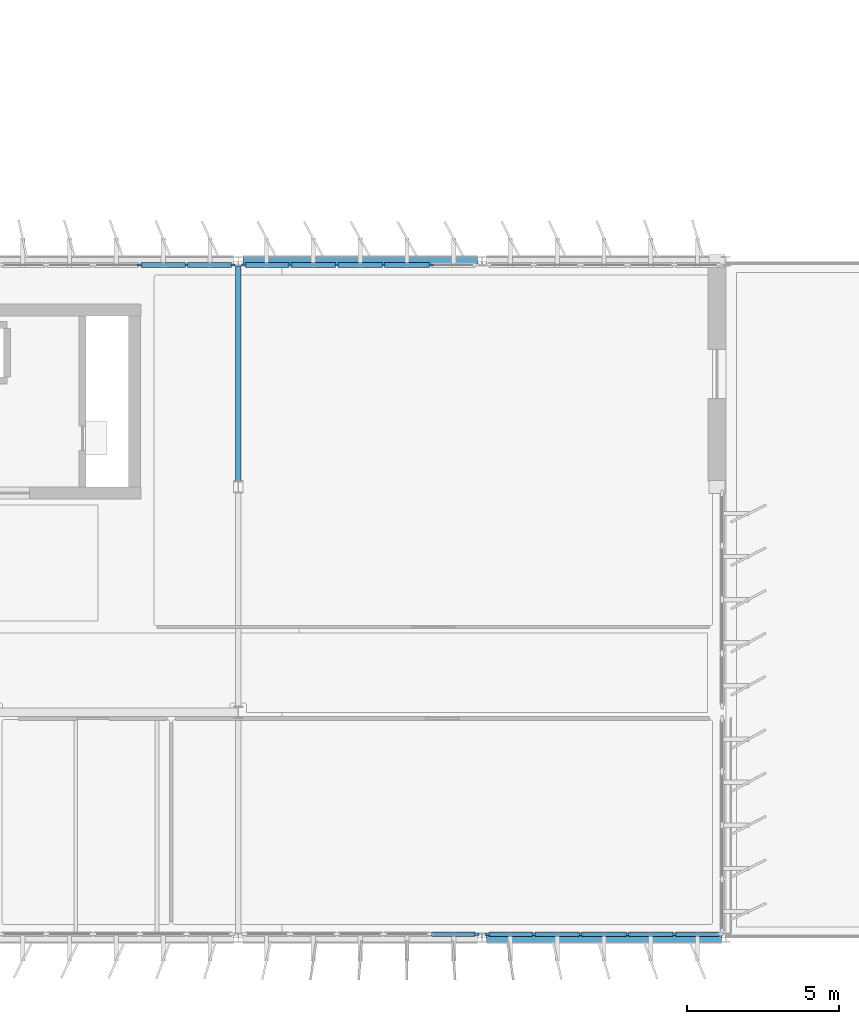
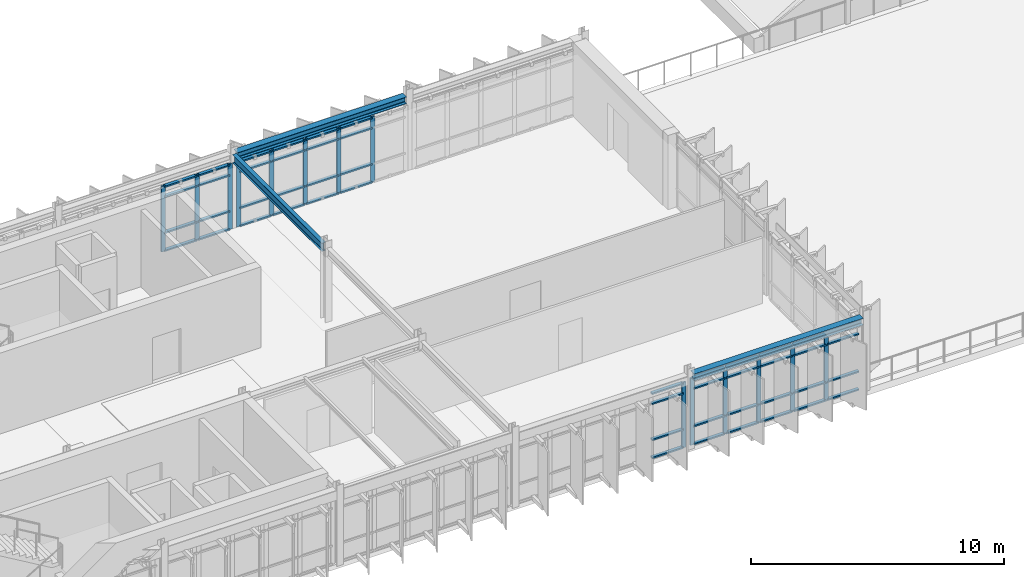
# One storey, part 12 of 35: 61 members, 3 beams, 4 elements without a shape of their own.
"""IFC4 building model written with IfcOpenShell, lengths in metres."""

from ifc_helpers import new_model, si_unit, direction, frame, origin, origin_2d, place, context, subcontext, project, spatial, rectangle, i_section, extrude, material, layer, layer_set, material_profile, profile_set, type_object, element, aggregate, save


model = new_model("IFC4")

# Units and contexts
model_context = context("Model", 3, precision=1e-05, world=origin(), true_north=direction((0.0, 1.0)))
body_context = subcontext(model_context, "Body", "Model", "MODEL_VIEW")
ifc_project = project(units=[si_unit("LENGTHUNIT", "METRE"), si_unit("AREAUNIT", "SQUARE_METRE"), si_unit("VOLUMEUNIT", "CUBIC_METRE"), si_unit("PLANEANGLEUNIT", "RADIAN"), si_unit("MASSUNIT", "GRAM", prefix="KILO")], contexts=[model_context])

# Site, building, storey
site_placement = place(None, origin())
site = spatial("IfcSite", under=ifc_project, at=site_placement, CompositionType="ELEMENT")
building_placement = place(site_placement, origin())
building = spatial("IfcBuilding", under=site, at=building_placement, Name="Valkorina Park Police Headquarters", CompositionType="ELEMENT")
storey_placement = place(building_placement, frame((0.0, 0.0, 27.199951171875)))
storey = spatial("IfcBuildingStorey", under=building, at=storey_placement, Name="L07", CompositionType="ELEMENT", Elevation=27.199951171875)

# Beams
ifc_material_1 = material(Name="Steel S355", Category="steel")
ifc_material_profile_1 = material_profile(ifc_material_1, i_section(OverallWidth=0.300048828125, OverallDepth=0.330078125, WebThickness=0.009521484375, FlangeThickness=0.0166015625, FilletRadius=0.027099609375, at=origin_2d()), Name="HEA 340")
ifc_profile_set_1 = profile_set([ifc_material_profile_1], Name="Steel S355")
beam_type_1 = type_object("IfcBeamType", Name="BM-S355-HEA340-SPN", PredefinedType="SPANDREL", material=ifc_profile_set_1)
for number, where, z_axis, x_axis, name in (
    (1, (64.949951171875, 37.0, 3.405029296875), (1.0, 0.0, 0.0), (0.0, 1.0, 0.0), "L07 Framing Beam 2732"),
    (2, (56.949951171875, 59.199951171875, 3.405029296875), (1.0, 0.0, 0.0), (0.0, 1.0, 0.0), "L07 Framing Beam 2751"),
):
    element("IfcBeam", number, at=place(storey_placement, frame(where, z_axis=z_axis, x_axis=x_axis)), inside=storey, type_object=beam_type_1, Name=name, PredefinedType="SPANDREL", context=body_context, shape_type="SweptSolid", body=[
        extrude(i_section(OverallWidth=0.300048828125, OverallDepth=0.330078125, WebThickness=0.009521484375, FlangeThickness=0.0166015625, FilletRadius=0.027099609375, at=origin_2d()), origin(), (0.0, 0.0, 1.0), 7.699951171875),
    ])
ifc_material_profile_2 = material_profile(ifc_material_1, i_section(OverallWidth=0.179931640625, OverallDepth=0.39990234375, WebThickness=0.008544921875, FlangeThickness=0.013427734375, FilletRadius=0.02099609375, at=origin_2d()), Name="IPE 400")
ifc_profile_set_2 = profile_set([ifc_material_profile_2], Name="Steel S355")
beam_type_2 = type_object("IfcBeamType", Name="BM-S355-IPE400-BM", PredefinedType="BEAM", material=ifc_profile_set_2)
beam_placement = place(storey_placement, frame((56.800048828125, 51.9951171875, 3.3701171875), z_axis=(0.0, 1.0, 0.0), x_axis=(-1.0, 0.0, 0.0)))
element("IfcBeam", 3, at=beam_placement, inside=storey, type_object=beam_type_2, Name="L07 Framing Beam 2792", PredefinedType="BEAM", context=body_context, shape_type="SweptSolid", body=[
    extrude(i_section(OverallWidth=0.179931640625, OverallDepth=0.39990234375, WebThickness=0.008544921875, FlangeThickness=0.013427734375, FilletRadius=0.02099609375, at=origin_2d()), origin(), (0.0, 0.0, 1.0), 7.054931640625),
])

# Curtain wall, members
ifc_material_2 = material(Name="Thermally broken aluminium AW-6060", Category="aluminium")
ifc_layer_1 = layer(ifc_material_2, 0.18994140625)
ifc_layer_set_1 = layer_set([ifc_layer_1], Name="Thermally broken aluminium AW-6060")
curtain_wall_type_1 = type_object("IfcCurtainWallType", Name="CW-V5-7680x3230", PredefinedType="NOTDEFINED", material=ifc_layer_set_1)
curtain_wall_1_placement = place(storey_placement, origin())
curtain_wall_1 = element("IfcCurtainWall", 4, at=curtain_wall_1_placement, inside=storey, type_object=curtain_wall_type_1, Name="L07 Unitised Curtain Wall 133", PredefinedType="NOTDEFINED")
ifc_material_profile_3 = material_profile(ifc_material_2, rectangle(XDim=0.070068359375, YDim=0.18994140625, at=origin_2d()), Name="CWM-02 70x190")
ifc_profile_set_3 = profile_set([ifc_material_profile_3], Name="Thermally broken aluminium AW-6060")
member_type_1 = type_object("IfcMemberType", Name="CWM-70x190", PredefinedType="MULLION", material=ifc_profile_set_3)
member_1_placement = place(storey_placement, frame((71.10400390625, 37.1201171875, 0.0), z_axis=(0.0, 0.0, 1.0), x_axis=(0.0, -1.0, 0.0)))
member_1 = element("IfcMember", 5, at=member_1_placement, type_object=member_type_1, Name="CW-V5-768-323 mullion 2", PredefinedType="MULLION", context=body_context, shape_type="SweptSolid", body=[
    extrude(rectangle(XDim=0.070068359375, YDim=0.18994140625, at=origin_2d()), origin(), (0.0, 0.0, 1.0), 3.22998046875),
])
member_2_placement = place(storey_placement, frame((69.568115234375, 37.1201171875, 0.0), z_axis=(0.0, 0.0, 1.0), x_axis=(0.0, -1.0, 0.0)))
member_2 = element("IfcMember", 6, at=member_2_placement, type_object=member_type_1, Name="CW-V5-768-323 mullion 3", PredefinedType="MULLION", context=body_context, shape_type="SweptSolid", body=[
    extrude(rectangle(XDim=0.070068359375, YDim=0.18994140625, at=origin_2d()), origin(), (0.0, 0.0, 1.0), 3.22998046875),
])
member_3_placement = place(storey_placement, frame((68.031982421875, 37.1201171875, 0.0), z_axis=(0.0, 0.0, 1.0), x_axis=(0.0, -1.0, 0.0)))
member_3 = element("IfcMember", 7, at=member_3_placement, type_object=member_type_1, Name="CW-V5-768-323 mullion 4", PredefinedType="MULLION", context=body_context, shape_type="SweptSolid", body=[
    extrude(rectangle(XDim=0.070068359375, YDim=0.18994140625, at=origin_2d()), origin(), (0.0, 0.0, 1.0), 3.22998046875),
])
member_4_placement = place(storey_placement, frame((66.49609375, 37.1201171875, 0.0), z_axis=(0.0, 0.0, 1.0), x_axis=(0.0, -1.0, 0.0)))
member_4 = element("IfcMember", 8, at=member_4_placement, type_object=member_type_1, Name="CW-V5-768-323 mullion 5", PredefinedType="MULLION", context=body_context, shape_type="SweptSolid", body=[
    extrude(rectangle(XDim=0.070068359375, YDim=0.18994140625, at=origin_2d()), origin(), (0.0, 0.0, 1.0), 3.22998046875),
])
member_5_placement = place(storey_placement, frame((64.9951171875, 37.1201171875, 0.0), z_axis=(0.0, 0.0, 1.0), x_axis=(0.0, -1.0, 0.0)))
member_5 = element("IfcMember", 9, at=member_5_placement, type_object=member_type_1, Name="CW-V5-768-323 mullion 6", PredefinedType="MULLION", context=body_context, shape_type="SweptSolid", body=[
    extrude(rectangle(XDim=0.070068359375, YDim=0.18994140625, at=origin_2d()), origin(), (0.0, 0.0, 1.0), 3.22998046875),
])

# Curtain wall, member
ifc_layer_2 = layer(ifc_material_2, 0.18994140625)
ifc_layer_set_2 = layer_set([ifc_layer_2], Name="Thermally broken aluminium AW-6060")
curtain_wall_type_2 = type_object("IfcCurtainWallType", Name="CW-V5-7680x3160", PredefinedType="NOTDEFINED", material=ifc_layer_set_2)
curtain_wall_2_placement = place(storey_placement, origin())
curtain_wall_2 = element("IfcCurtainWall", 10, at=curtain_wall_2_placement, inside=storey, type_object=curtain_wall_type_2, Name="L07 Unitised Curtain Wall 134", PredefinedType="NOTDEFINED")
member_6_placement = place(storey_placement, frame((64.60498046875, 37.1201171875, 0.0), z_axis=(0.0, 0.0, 1.0), x_axis=(0.0, -1.0, 0.0)))
member_6 = element("IfcMember", 11, at=member_6_placement, type_object=member_type_1, Name="CW-V5-768-316 mullion 1", PredefinedType="MULLION", context=body_context, shape_type="SweptSolid", body=[
    extrude(rectangle(XDim=0.070068359375, YDim=0.18994140625, at=origin_2d()), origin(), (0.0, 0.0, 1.0), 3.16015625),
])

# Curtain wall, members
curtain_wall_3_placement = place(storey_placement, origin())
curtain_wall_3 = element("IfcCurtainWall", 12, at=curtain_wall_3_placement, inside=storey, type_object=curtain_wall_type_2, Name="L07 Unitised Curtain Wall 151", PredefinedType="NOTDEFINED")
member_7_placement = place(storey_placement, frame((53.568115234375, 59.080078125, 0.0), z_axis=(0.0, 0.0, 1.0), x_axis=(0.0, 1.0, 0.0)))
member_7 = element("IfcMember", 13, at=member_7_placement, type_object=member_type_1, Name="CW-V5-768-316 mullion 4", PredefinedType="MULLION", context=body_context, shape_type="SweptSolid", body=[
    extrude(rectangle(XDim=0.070068359375, YDim=0.18994140625, at=origin_2d()), origin(), (0.0, 0.0, 1.0), 3.16015625),
])
member_8_placement = place(storey_placement, frame((55.10400390625, 59.080078125, 0.0), z_axis=(0.0, 0.0, 1.0), x_axis=(0.0, 1.0, 0.0)))
member_8 = element("IfcMember", 14, at=member_8_placement, type_object=member_type_1, Name="CW-V5-768-316 mullion 5", PredefinedType="MULLION", context=body_context, shape_type="SweptSolid", body=[
    extrude(rectangle(XDim=0.070068359375, YDim=0.18994140625, at=origin_2d()), origin(), (0.0, 0.0, 1.0), 3.16015625),
])
member_9_placement = place(storey_placement, frame((56.60498046875, 59.080078125, 0.0), z_axis=(0.0, 0.0, 1.0), x_axis=(0.0, 1.0, 0.0)))
member_9 = element("IfcMember", 15, at=member_9_placement, type_object=member_type_1, Name="CW-V5-768-316 mullion 6", PredefinedType="MULLION", context=body_context, shape_type="SweptSolid", body=[
    extrude(rectangle(XDim=0.070068359375, YDim=0.18994140625, at=origin_2d()), origin(), (0.0, 0.0, 1.0), 3.16015625),
])

curtain_wall_4_placement = place(storey_placement, origin())
curtain_wall_4 = element("IfcCurtainWall", 16, at=curtain_wall_4_placement, inside=storey, type_object=curtain_wall_type_2, Name="L07 Unitised Curtain Wall 152", PredefinedType="NOTDEFINED")
member_10_placement = place(storey_placement, frame((56.9951171875, 59.080078125, 0.0), z_axis=(0.0, 0.0, 1.0), x_axis=(0.0, 1.0, 0.0)))
member_10 = element("IfcMember", 17, at=member_10_placement, type_object=member_type_1, Name="CW-V5-768-316 mullion 1", PredefinedType="MULLION", context=body_context, shape_type="SweptSolid", body=[
    extrude(rectangle(XDim=0.070068359375, YDim=0.18994140625, at=origin_2d()), origin(), (0.0, 0.0, 1.0), 3.16015625),
])
member_11_placement = place(storey_placement, frame((58.49609375, 59.080078125, 0.0), z_axis=(0.0, 0.0, 1.0), x_axis=(0.0, 1.0, 0.0)))
member_11 = element("IfcMember", 18, at=member_11_placement, type_object=member_type_1, Name="CW-V5-768-316 mullion 2", PredefinedType="MULLION", context=body_context, shape_type="SweptSolid", body=[
    extrude(rectangle(XDim=0.070068359375, YDim=0.18994140625, at=origin_2d()), origin(), (0.0, 0.0, 1.0), 3.16015625),
])
member_12_placement = place(storey_placement, frame((60.031982421875, 59.080078125, 0.0), z_axis=(0.0, 0.0, 1.0), x_axis=(0.0, 1.0, 0.0)))
member_12 = element("IfcMember", 19, at=member_12_placement, type_object=member_type_1, Name="CW-V5-768-316 mullion 3", PredefinedType="MULLION", context=body_context, shape_type="SweptSolid", body=[
    extrude(rectangle(XDim=0.070068359375, YDim=0.18994140625, at=origin_2d()), origin(), (0.0, 0.0, 1.0), 3.16015625),
])
member_13_placement = place(storey_placement, frame((61.568115234375, 59.080078125, 0.0), z_axis=(0.0, 0.0, 1.0), x_axis=(0.0, 1.0, 0.0)))
member_13 = element("IfcMember", 20, at=member_13_placement, type_object=member_type_1, Name="CW-V5-768-316 mullion 4", PredefinedType="MULLION", context=body_context, shape_type="SweptSolid", body=[
    extrude(rectangle(XDim=0.070068359375, YDim=0.18994140625, at=origin_2d()), origin(), (0.0, 0.0, 1.0), 3.16015625),
])
member_14_placement = place(storey_placement, frame((63.10400390625, 59.080078125, 0.0), z_axis=(0.0, 0.0, 1.0), x_axis=(0.0, 1.0, 0.0)))
member_14 = element("IfcMember", 21, at=member_14_placement, type_object=member_type_1, Name="CW-V5-768-316 mullion 5", PredefinedType="MULLION", context=body_context, shape_type="SweptSolid", body=[
    extrude(rectangle(XDim=0.070068359375, YDim=0.18994140625, at=origin_2d()), origin(), (0.0, 0.0, 1.0), 3.16015625),
])

# Member
ifc_material_profile_4 = material_profile(ifc_material_2, rectangle(XDim=0.14990234375, YDim=0.070068359375, at=origin_2d()), Name="CWT-02 150x70")
ifc_profile_set_4 = profile_set([ifc_material_profile_4], Name="Thermally broken aluminium AW-6060")
member_type_2 = type_object("IfcMemberType", Name="CWT-150x70", PredefinedType="USERDEFINED", material=ifc_profile_set_4)
member_15_placement = place(storey_placement, frame((72.570068359375, 37.1201171875, 0.03515625), z_axis=(-1.0, 0.0, 0.0), x_axis=(0.0, -1.0, 0.0)))
member_15 = element("IfcMember", 22, at=member_15_placement, type_object=member_type_2, Name="CW-V5-768-323 transom 1.1", ObjectType="TRANSOM", PredefinedType="USERDEFINED", context=body_context, shape_type="SweptSolid", body=[
    extrude(rectangle(XDim=0.14990234375, YDim=0.070068359375, at=origin_2d()), origin(), (0.0, 0.0, 1.0), 1.43115234375),
])

member_16_placement = place(storey_placement, frame((72.570068359375, 37.1201171875, 0.900146484375), z_axis=(-1.0, 0.0, 0.0), x_axis=(0.0, -1.0, 0.0)))
member_16 = element("IfcMember", 23, at=member_16_placement, type_object=member_type_2, Name="CW-V5-768-323 transom 1.2", ObjectType="TRANSOM", PredefinedType="USERDEFINED", context=body_context, shape_type="SweptSolid", body=[
    extrude(rectangle(XDim=0.14990234375, YDim=0.070068359375, at=origin_2d()), origin(), (0.0, 0.0, 1.0), 1.43115234375),
])

member_17_placement = place(storey_placement, frame((72.570068359375, 37.1201171875, 2.7099609375), z_axis=(-1.0, 0.0, 0.0), x_axis=(0.0, -1.0, 0.0)))
member_17 = element("IfcMember", 24, at=member_17_placement, type_object=member_type_2, Name="CW-V5-768-323 transom 1.3", ObjectType="TRANSOM", PredefinedType="USERDEFINED", context=body_context, shape_type="SweptSolid", body=[
    extrude(rectangle(XDim=0.14990234375, YDim=0.070068359375, at=origin_2d()), origin(), (0.0, 0.0, 1.0), 1.43115234375),
])

member_18_placement = place(storey_placement, frame((71.069091796875, 37.1201171875, 0.03515625), z_axis=(-1.0, 0.0, 0.0), x_axis=(0.0, -1.0, 0.0)))
member_18 = element("IfcMember", 25, at=member_18_placement, type_object=member_type_2, Name="CW-V5-768-323 transom 2.1", ObjectType="TRANSOM", PredefinedType="USERDEFINED", context=body_context, shape_type="SweptSolid", body=[
    extrude(rectangle(XDim=0.14990234375, YDim=0.070068359375, at=origin_2d()), origin(), (0.0, 0.0, 1.0), 1.466064453125),
])

member_19_placement = place(storey_placement, frame((71.069091796875, 37.1201171875, 0.900146484375), z_axis=(-1.0, 0.0, 0.0), x_axis=(0.0, -1.0, 0.0)))
member_19 = element("IfcMember", 26, at=member_19_placement, type_object=member_type_2, Name="CW-V5-768-323 transom 2.2", ObjectType="TRANSOM", PredefinedType="USERDEFINED", context=body_context, shape_type="SweptSolid", body=[
    extrude(rectangle(XDim=0.14990234375, YDim=0.070068359375, at=origin_2d()), origin(), (0.0, 0.0, 1.0), 1.466064453125),
])

member_20_placement = place(storey_placement, frame((71.069091796875, 37.1201171875, 2.7099609375), z_axis=(-1.0, 0.0, 0.0), x_axis=(0.0, -1.0, 0.0)))
member_20 = element("IfcMember", 27, at=member_20_placement, type_object=member_type_2, Name="CW-V5-768-323 transom 2.3", ObjectType="TRANSOM", PredefinedType="USERDEFINED", context=body_context, shape_type="SweptSolid", body=[
    extrude(rectangle(XDim=0.14990234375, YDim=0.070068359375, at=origin_2d()), origin(), (0.0, 0.0, 1.0), 1.466064453125),
])

member_21_placement = place(storey_placement, frame((71.069091796875, 37.1201171875, 3.195068359375), z_axis=(-1.0, 0.0, 0.0), x_axis=(0.0, -1.0, 0.0)))
member_21 = element("IfcMember", 28, at=member_21_placement, type_object=member_type_2, Name="CW-V5-768-323 transom 2.4", ObjectType="TRANSOM", PredefinedType="USERDEFINED", context=body_context, shape_type="SweptSolid", body=[
    extrude(rectangle(XDim=0.14990234375, YDim=0.070068359375, at=origin_2d()), origin(), (0.0, 0.0, 1.0), 1.466064453125),
])

member_22_placement = place(storey_placement, frame((69.532958984375, 37.1201171875, 0.03515625), z_axis=(-1.0, 0.0, 0.0), x_axis=(0.0, -1.0, 0.0)))
member_22 = element("IfcMember", 29, at=member_22_placement, type_object=member_type_2, Name="CW-V5-768-323 transom 3.1", ObjectType="TRANSOM", PredefinedType="USERDEFINED", context=body_context, shape_type="SweptSolid", body=[
    extrude(rectangle(XDim=0.14990234375, YDim=0.070068359375, at=origin_2d()), origin(), (0.0, 0.0, 1.0), 1.466064453125),
])

member_23_placement = place(storey_placement, frame((69.532958984375, 37.1201171875, 0.900146484375), z_axis=(-1.0, 0.0, 0.0), x_axis=(0.0, -1.0, 0.0)))
member_23 = element("IfcMember", 30, at=member_23_placement, type_object=member_type_2, Name="CW-V5-768-323 transom 3.2", ObjectType="TRANSOM", PredefinedType="USERDEFINED", context=body_context, shape_type="SweptSolid", body=[
    extrude(rectangle(XDim=0.14990234375, YDim=0.070068359375, at=origin_2d()), origin(), (0.0, 0.0, 1.0), 1.466064453125),
])

member_24_placement = place(storey_placement, frame((69.532958984375, 37.1201171875, 2.7099609375), z_axis=(-1.0, 0.0, 0.0), x_axis=(0.0, -1.0, 0.0)))
member_24 = element("IfcMember", 31, at=member_24_placement, type_object=member_type_2, Name="CW-V5-768-323 transom 3.3", ObjectType="TRANSOM", PredefinedType="USERDEFINED", context=body_context, shape_type="SweptSolid", body=[
    extrude(rectangle(XDim=0.14990234375, YDim=0.070068359375, at=origin_2d()), origin(), (0.0, 0.0, 1.0), 1.466064453125),
])

member_25_placement = place(storey_placement, frame((69.532958984375, 37.1201171875, 3.195068359375), z_axis=(-1.0, 0.0, 0.0), x_axis=(0.0, -1.0, 0.0)))
member_25 = element("IfcMember", 32, at=member_25_placement, type_object=member_type_2, Name="CW-V5-768-323 transom 3.4", ObjectType="TRANSOM", PredefinedType="USERDEFINED", context=body_context, shape_type="SweptSolid", body=[
    extrude(rectangle(XDim=0.14990234375, YDim=0.070068359375, at=origin_2d()), origin(), (0.0, 0.0, 1.0), 1.466064453125),
])

member_26_placement = place(storey_placement, frame((67.9970703125, 37.1201171875, 0.03515625), z_axis=(-1.0, 0.0, 0.0), x_axis=(0.0, -1.0, 0.0)))
member_26 = element("IfcMember", 33, at=member_26_placement, type_object=member_type_2, Name="CW-V5-768-323 transom 4.1", ObjectType="TRANSOM", PredefinedType="USERDEFINED", context=body_context, shape_type="SweptSolid", body=[
    extrude(rectangle(XDim=0.14990234375, YDim=0.070068359375, at=origin_2d()), origin(), (0.0, 0.0, 1.0), 1.466064453125),
])

member_27_placement = place(storey_placement, frame((67.9970703125, 37.1201171875, 0.900146484375), z_axis=(-1.0, 0.0, 0.0), x_axis=(0.0, -1.0, 0.0)))
member_27 = element("IfcMember", 34, at=member_27_placement, type_object=member_type_2, Name="CW-V5-768-323 transom 4.2", ObjectType="TRANSOM", PredefinedType="USERDEFINED", context=body_context, shape_type="SweptSolid", body=[
    extrude(rectangle(XDim=0.14990234375, YDim=0.070068359375, at=origin_2d()), origin(), (0.0, 0.0, 1.0), 1.466064453125),
])

member_28_placement = place(storey_placement, frame((67.9970703125, 37.1201171875, 2.7099609375), z_axis=(-1.0, 0.0, 0.0), x_axis=(0.0, -1.0, 0.0)))
member_28 = element("IfcMember", 35, at=member_28_placement, type_object=member_type_2, Name="CW-V5-768-323 transom 4.3", ObjectType="TRANSOM", PredefinedType="USERDEFINED", context=body_context, shape_type="SweptSolid", body=[
    extrude(rectangle(XDim=0.14990234375, YDim=0.070068359375, at=origin_2d()), origin(), (0.0, 0.0, 1.0), 1.466064453125),
])

member_29_placement = place(storey_placement, frame((67.9970703125, 37.1201171875, 3.195068359375), z_axis=(-1.0, 0.0, 0.0), x_axis=(0.0, -1.0, 0.0)))
member_29 = element("IfcMember", 36, at=member_29_placement, type_object=member_type_2, Name="CW-V5-768-323 transom 4.4", ObjectType="TRANSOM", PredefinedType="USERDEFINED", context=body_context, shape_type="SweptSolid", body=[
    extrude(rectangle(XDim=0.14990234375, YDim=0.070068359375, at=origin_2d()), origin(), (0.0, 0.0, 1.0), 1.466064453125),
])

member_30_placement = place(storey_placement, frame((66.4609375, 37.1201171875, 0.03515625), z_axis=(-1.0, 0.0, 0.0), x_axis=(0.0, -1.0, 0.0)))
member_30 = element("IfcMember", 37, at=member_30_placement, type_object=member_type_2, Name="CW-V5-768-323 transom 5.1", ObjectType="TRANSOM", PredefinedType="USERDEFINED", context=body_context, shape_type="SweptSolid", body=[
    extrude(rectangle(XDim=0.14990234375, YDim=0.070068359375, at=origin_2d()), origin(), (0.0, 0.0, 1.0), 1.430908203125),
])

member_31_placement = place(storey_placement, frame((66.4609375, 37.1201171875, 0.900146484375), z_axis=(-1.0, 0.0, 0.0), x_axis=(0.0, -1.0, 0.0)))
member_31 = element("IfcMember", 38, at=member_31_placement, type_object=member_type_2, Name="CW-V5-768-323 transom 5.2", ObjectType="TRANSOM", PredefinedType="USERDEFINED", context=body_context, shape_type="SweptSolid", body=[
    extrude(rectangle(XDim=0.14990234375, YDim=0.070068359375, at=origin_2d()), origin(), (0.0, 0.0, 1.0), 1.430908203125),
])

member_32_placement = place(storey_placement, frame((66.4609375, 37.1201171875, 2.7099609375), z_axis=(-1.0, 0.0, 0.0), x_axis=(0.0, -1.0, 0.0)))
member_32 = element("IfcMember", 39, at=member_32_placement, type_object=member_type_2, Name="CW-V5-768-323 transom 5.3", ObjectType="TRANSOM", PredefinedType="USERDEFINED", context=body_context, shape_type="SweptSolid", body=[
    extrude(rectangle(XDim=0.14990234375, YDim=0.070068359375, at=origin_2d()), origin(), (0.0, 0.0, 1.0), 1.430908203125),
])

member_33_placement = place(storey_placement, frame((66.4609375, 37.1201171875, 3.195068359375), z_axis=(-1.0, 0.0, 0.0), x_axis=(0.0, -1.0, 0.0)))
member_33 = element("IfcMember", 40, at=member_33_placement, type_object=member_type_2, Name="CW-V5-768-323 transom 5.4", ObjectType="TRANSOM", PredefinedType="USERDEFINED", context=body_context, shape_type="SweptSolid", body=[
    extrude(rectangle(XDim=0.14990234375, YDim=0.070068359375, at=origin_2d()), origin(), (0.0, 0.0, 1.0), 1.430908203125),
])

aggregate(curtain_wall_1, [member_1, member_2, member_3, member_4, member_5, member_15, member_16, member_17, member_18, member_19, member_20, member_21, member_22, member_23, member_24, member_25, member_26, member_27, member_28, member_29, member_30, member_31, member_32, member_33])

member_34_placement = place(storey_placement, frame((64.570068359375, 37.1201171875, 0.03515625), z_axis=(-1.0, 0.0, 0.0), x_axis=(0.0, -1.0, 0.0)))
member_34 = element("IfcMember", 41, at=member_34_placement, type_object=member_type_2, Name="CW-V5-768-316 transom 1.1", ObjectType="TRANSOM", PredefinedType="USERDEFINED", context=body_context, shape_type="SweptSolid", body=[
    extrude(rectangle(XDim=0.14990234375, YDim=0.070068359375, at=origin_2d()), origin(), (0.0, 0.0, 1.0), 1.43115234375),
])

member_35_placement = place(storey_placement, frame((64.570068359375, 37.1201171875, 0.900146484375), z_axis=(-1.0, 0.0, 0.0), x_axis=(0.0, -1.0, 0.0)))
member_35 = element("IfcMember", 42, at=member_35_placement, type_object=member_type_2, Name="CW-V5-768-316 transom 1.2", ObjectType="TRANSOM", PredefinedType="USERDEFINED", context=body_context, shape_type="SweptSolid", body=[
    extrude(rectangle(XDim=0.14990234375, YDim=0.070068359375, at=origin_2d()), origin(), (0.0, 0.0, 1.0), 1.43115234375),
])

member_36_placement = place(storey_placement, frame((64.570068359375, 37.1201171875, 2.64013671875), z_axis=(-1.0, 0.0, 0.0), x_axis=(0.0, -1.0, 0.0)))
member_36 = element("IfcMember", 43, at=member_36_placement, type_object=member_type_2, Name="CW-V5-768-316 transom 1.3", ObjectType="TRANSOM", PredefinedType="USERDEFINED", context=body_context, shape_type="SweptSolid", body=[
    extrude(rectangle(XDim=0.14990234375, YDim=0.070068359375, at=origin_2d()), origin(), (0.0, 0.0, 1.0), 1.43115234375),
])

member_37_placement = place(storey_placement, frame((64.570068359375, 37.1201171875, 3.125), z_axis=(-1.0, 0.0, 0.0), x_axis=(0.0, -1.0, 0.0)))
member_37 = element("IfcMember", 44, at=member_37_placement, type_object=member_type_2, Name="CW-V5-768-316 transom 1.4", ObjectType="TRANSOM", PredefinedType="USERDEFINED", context=body_context, shape_type="SweptSolid", body=[
    extrude(rectangle(XDim=0.14990234375, YDim=0.070068359375, at=origin_2d()), origin(), (0.0, 0.0, 1.0), 1.43115234375),
])

aggregate(curtain_wall_2, [member_6, member_34, member_35, member_36, member_37])

member_38_placement = place(storey_placement, frame((53.60302734375, 59.080078125, 0.03515625), z_axis=(1.0, 0.0, 0.0), x_axis=(0.0, 1.0, 0.0)))
member_38 = element("IfcMember", 45, at=member_38_placement, type_object=member_type_2, Name="CW-V5-768-316 transom 4.1", ObjectType="TRANSOM", PredefinedType="USERDEFINED", context=body_context, shape_type="SweptSolid", body=[
    extrude(rectangle(XDim=0.14990234375, YDim=0.070068359375, at=origin_2d()), origin(), (0.0, 0.0, 1.0), 1.466064453125),
])

member_39_placement = place(storey_placement, frame((53.60302734375, 59.080078125, 0.900146484375), z_axis=(1.0, 0.0, 0.0), x_axis=(0.0, 1.0, 0.0)))
member_39 = element("IfcMember", 46, at=member_39_placement, type_object=member_type_2, Name="CW-V5-768-316 transom 4.2", ObjectType="TRANSOM", PredefinedType="USERDEFINED", context=body_context, shape_type="SweptSolid", body=[
    extrude(rectangle(XDim=0.14990234375, YDim=0.070068359375, at=origin_2d()), origin(), (0.0, 0.0, 1.0), 1.466064453125),
])

member_40_placement = place(storey_placement, frame((53.60302734375, 59.080078125, 2.64013671875), z_axis=(1.0, 0.0, 0.0), x_axis=(0.0, 1.0, 0.0)))
member_40 = element("IfcMember", 47, at=member_40_placement, type_object=member_type_2, Name="CW-V5-768-316 transom 4.3", ObjectType="TRANSOM", PredefinedType="USERDEFINED", context=body_context, shape_type="SweptSolid", body=[
    extrude(rectangle(XDim=0.14990234375, YDim=0.070068359375, at=origin_2d()), origin(), (0.0, 0.0, 1.0), 1.466064453125),
])

member_41_placement = place(storey_placement, frame((53.60302734375, 59.080078125, 3.125), z_axis=(1.0, 0.0, 0.0), x_axis=(0.0, 1.0, 0.0)))
member_41 = element("IfcMember", 48, at=member_41_placement, type_object=member_type_2, Name="CW-V5-768-316 transom 4.4", ObjectType="TRANSOM", PredefinedType="USERDEFINED", context=body_context, shape_type="SweptSolid", body=[
    extrude(rectangle(XDim=0.14990234375, YDim=0.070068359375, at=origin_2d()), origin(), (0.0, 0.0, 1.0), 1.466064453125),
])

member_42_placement = place(storey_placement, frame((55.138916015625, 59.080078125, 0.03515625), z_axis=(1.0, 0.0, 0.0), x_axis=(0.0, 1.0, 0.0)))
member_42 = element("IfcMember", 49, at=member_42_placement, type_object=member_type_2, Name="CW-V5-768-316 transom 5.1", ObjectType="TRANSOM", PredefinedType="USERDEFINED", context=body_context, shape_type="SweptSolid", body=[
    extrude(rectangle(XDim=0.14990234375, YDim=0.070068359375, at=origin_2d()), origin(), (0.0, 0.0, 1.0), 1.43115234375),
])

member_43_placement = place(storey_placement, frame((55.138916015625, 59.080078125, 0.900146484375), z_axis=(1.0, 0.0, 0.0), x_axis=(0.0, 1.0, 0.0)))
member_43 = element("IfcMember", 50, at=member_43_placement, type_object=member_type_2, Name="CW-V5-768-316 transom 5.2", ObjectType="TRANSOM", PredefinedType="USERDEFINED", context=body_context, shape_type="SweptSolid", body=[
    extrude(rectangle(XDim=0.14990234375, YDim=0.070068359375, at=origin_2d()), origin(), (0.0, 0.0, 1.0), 1.43115234375),
])

member_44_placement = place(storey_placement, frame((55.138916015625, 59.080078125, 2.64013671875), z_axis=(1.0, 0.0, 0.0), x_axis=(0.0, 1.0, 0.0)))
member_44 = element("IfcMember", 51, at=member_44_placement, type_object=member_type_2, Name="CW-V5-768-316 transom 5.3", ObjectType="TRANSOM", PredefinedType="USERDEFINED", context=body_context, shape_type="SweptSolid", body=[
    extrude(rectangle(XDim=0.14990234375, YDim=0.070068359375, at=origin_2d()), origin(), (0.0, 0.0, 1.0), 1.43115234375),
])

member_45_placement = place(storey_placement, frame((55.138916015625, 59.080078125, 3.125), z_axis=(1.0, 0.0, 0.0), x_axis=(0.0, 1.0, 0.0)))
member_45 = element("IfcMember", 52, at=member_45_placement, type_object=member_type_2, Name="CW-V5-768-316 transom 5.4", ObjectType="TRANSOM", PredefinedType="USERDEFINED", context=body_context, shape_type="SweptSolid", body=[
    extrude(rectangle(XDim=0.14990234375, YDim=0.070068359375, at=origin_2d()), origin(), (0.0, 0.0, 1.0), 1.43115234375),
])

aggregate(curtain_wall_3, [member_7, member_8, member_9, member_38, member_39, member_40, member_41, member_42, member_43, member_44, member_45])

member_46_placement = place(storey_placement, frame((57.030029296875, 59.080078125, 0.03515625), z_axis=(1.0, 0.0, 0.0), x_axis=(0.0, 1.0, 0.0)))
member_46 = element("IfcMember", 53, at=member_46_placement, type_object=member_type_2, Name="CW-V5-768-316 transom 1.1", ObjectType="TRANSOM", PredefinedType="USERDEFINED", context=body_context, shape_type="SweptSolid", body=[
    extrude(rectangle(XDim=0.14990234375, YDim=0.070068359375, at=origin_2d()), origin(), (0.0, 0.0, 1.0), 1.430908203125),
])

member_47_placement = place(storey_placement, frame((57.030029296875, 59.080078125, 0.900146484375), z_axis=(1.0, 0.0, 0.0), x_axis=(0.0, 1.0, 0.0)))
member_47 = element("IfcMember", 54, at=member_47_placement, type_object=member_type_2, Name="CW-V5-768-316 transom 1.2", ObjectType="TRANSOM", PredefinedType="USERDEFINED", context=body_context, shape_type="SweptSolid", body=[
    extrude(rectangle(XDim=0.14990234375, YDim=0.070068359375, at=origin_2d()), origin(), (0.0, 0.0, 1.0), 1.430908203125),
])

member_48_placement = place(storey_placement, frame((57.030029296875, 59.080078125, 2.64013671875), z_axis=(1.0, 0.0, 0.0), x_axis=(0.0, 1.0, 0.0)))
member_48 = element("IfcMember", 55, at=member_48_placement, type_object=member_type_2, Name="CW-V5-768-316 transom 1.3", ObjectType="TRANSOM", PredefinedType="USERDEFINED", context=body_context, shape_type="SweptSolid", body=[
    extrude(rectangle(XDim=0.14990234375, YDim=0.070068359375, at=origin_2d()), origin(), (0.0, 0.0, 1.0), 1.430908203125),
])

member_49_placement = place(storey_placement, frame((57.030029296875, 59.080078125, 3.125), z_axis=(1.0, 0.0, 0.0), x_axis=(0.0, 1.0, 0.0)))
member_49 = element("IfcMember", 56, at=member_49_placement, type_object=member_type_2, Name="CW-V5-768-316 transom 1.4", ObjectType="TRANSOM", PredefinedType="USERDEFINED", context=body_context, shape_type="SweptSolid", body=[
    extrude(rectangle(XDim=0.14990234375, YDim=0.070068359375, at=origin_2d()), origin(), (0.0, 0.0, 1.0), 1.430908203125),
])

member_50_placement = place(storey_placement, frame((58.531005859375, 59.080078125, 0.03515625), z_axis=(1.0, 0.0, 0.0), x_axis=(0.0, 1.0, 0.0)))
member_50 = element("IfcMember", 57, at=member_50_placement, type_object=member_type_2, Name="CW-V5-768-316 transom 2.1", ObjectType="TRANSOM", PredefinedType="USERDEFINED", context=body_context, shape_type="SweptSolid", body=[
    extrude(rectangle(XDim=0.14990234375, YDim=0.070068359375, at=origin_2d()), origin(), (0.0, 0.0, 1.0), 1.466064453125),
])

member_51_placement = place(storey_placement, frame((58.531005859375, 59.080078125, 0.900146484375), z_axis=(1.0, 0.0, 0.0), x_axis=(0.0, 1.0, 0.0)))
member_51 = element("IfcMember", 58, at=member_51_placement, type_object=member_type_2, Name="CW-V5-768-316 transom 2.2", ObjectType="TRANSOM", PredefinedType="USERDEFINED", context=body_context, shape_type="SweptSolid", body=[
    extrude(rectangle(XDim=0.14990234375, YDim=0.070068359375, at=origin_2d()), origin(), (0.0, 0.0, 1.0), 1.466064453125),
])

member_52_placement = place(storey_placement, frame((58.531005859375, 59.080078125, 2.64013671875), z_axis=(1.0, 0.0, 0.0), x_axis=(0.0, 1.0, 0.0)))
member_52 = element("IfcMember", 59, at=member_52_placement, type_object=member_type_2, Name="CW-V5-768-316 transom 2.3", ObjectType="TRANSOM", PredefinedType="USERDEFINED", context=body_context, shape_type="SweptSolid", body=[
    extrude(rectangle(XDim=0.14990234375, YDim=0.070068359375, at=origin_2d()), origin(), (0.0, 0.0, 1.0), 1.466064453125),
])

member_53_placement = place(storey_placement, frame((58.531005859375, 59.080078125, 3.125), z_axis=(1.0, 0.0, 0.0), x_axis=(0.0, 1.0, 0.0)))
member_53 = element("IfcMember", 60, at=member_53_placement, type_object=member_type_2, Name="CW-V5-768-316 transom 2.4", ObjectType="TRANSOM", PredefinedType="USERDEFINED", context=body_context, shape_type="SweptSolid", body=[
    extrude(rectangle(XDim=0.14990234375, YDim=0.070068359375, at=origin_2d()), origin(), (0.0, 0.0, 1.0), 1.466064453125),
])

member_54_placement = place(storey_placement, frame((60.06689453125, 59.080078125, 0.03515625), z_axis=(1.0, 0.0, 0.0), x_axis=(0.0, 1.0, 0.0)))
member_54 = element("IfcMember", 61, at=member_54_placement, type_object=member_type_2, Name="CW-V5-768-316 transom 3.1", ObjectType="TRANSOM", PredefinedType="USERDEFINED", context=body_context, shape_type="SweptSolid", body=[
    extrude(rectangle(XDim=0.14990234375, YDim=0.070068359375, at=origin_2d()), origin(), (0.0, 0.0, 1.0), 1.466064453125),
])

member_55_placement = place(storey_placement, frame((60.06689453125, 59.080078125, 0.900146484375), z_axis=(1.0, 0.0, 0.0), x_axis=(0.0, 1.0, 0.0)))
member_55 = element("IfcMember", 62, at=member_55_placement, type_object=member_type_2, Name="CW-V5-768-316 transom 3.2", ObjectType="TRANSOM", PredefinedType="USERDEFINED", context=body_context, shape_type="SweptSolid", body=[
    extrude(rectangle(XDim=0.14990234375, YDim=0.070068359375, at=origin_2d()), origin(), (0.0, 0.0, 1.0), 1.466064453125),
])

member_56_placement = place(storey_placement, frame((60.06689453125, 59.080078125, 2.64013671875), z_axis=(1.0, 0.0, 0.0), x_axis=(0.0, 1.0, 0.0)))
member_56 = element("IfcMember", 63, at=member_56_placement, type_object=member_type_2, Name="CW-V5-768-316 transom 3.3", ObjectType="TRANSOM", PredefinedType="USERDEFINED", context=body_context, shape_type="SweptSolid", body=[
    extrude(rectangle(XDim=0.14990234375, YDim=0.070068359375, at=origin_2d()), origin(), (0.0, 0.0, 1.0), 1.466064453125),
])

member_57_placement = place(storey_placement, frame((60.06689453125, 59.080078125, 3.125), z_axis=(1.0, 0.0, 0.0), x_axis=(0.0, 1.0, 0.0)))
member_57 = element("IfcMember", 64, at=member_57_placement, type_object=member_type_2, Name="CW-V5-768-316 transom 3.4", ObjectType="TRANSOM", PredefinedType="USERDEFINED", context=body_context, shape_type="SweptSolid", body=[
    extrude(rectangle(XDim=0.14990234375, YDim=0.070068359375, at=origin_2d()), origin(), (0.0, 0.0, 1.0), 1.466064453125),
])

member_58_placement = place(storey_placement, frame((61.60302734375, 59.080078125, 0.03515625), z_axis=(1.0, 0.0, 0.0), x_axis=(0.0, 1.0, 0.0)))
member_58 = element("IfcMember", 65, at=member_58_placement, type_object=member_type_2, Name="CW-V5-768-316 transom 4.1", ObjectType="TRANSOM", PredefinedType="USERDEFINED", context=body_context, shape_type="SweptSolid", body=[
    extrude(rectangle(XDim=0.14990234375, YDim=0.070068359375, at=origin_2d()), origin(), (0.0, 0.0, 1.0), 1.466064453125),
])

member_59_placement = place(storey_placement, frame((61.60302734375, 59.080078125, 0.900146484375), z_axis=(1.0, 0.0, 0.0), x_axis=(0.0, 1.0, 0.0)))
member_59 = element("IfcMember", 66, at=member_59_placement, type_object=member_type_2, Name="CW-V5-768-316 transom 4.2", ObjectType="TRANSOM", PredefinedType="USERDEFINED", context=body_context, shape_type="SweptSolid", body=[
    extrude(rectangle(XDim=0.14990234375, YDim=0.070068359375, at=origin_2d()), origin(), (0.0, 0.0, 1.0), 1.466064453125),
])

member_60_placement = place(storey_placement, frame((61.60302734375, 59.080078125, 2.64013671875), z_axis=(1.0, 0.0, 0.0), x_axis=(0.0, 1.0, 0.0)))
member_60 = element("IfcMember", 67, at=member_60_placement, type_object=member_type_2, Name="CW-V5-768-316 transom 4.3", ObjectType="TRANSOM", PredefinedType="USERDEFINED", context=body_context, shape_type="SweptSolid", body=[
    extrude(rectangle(XDim=0.14990234375, YDim=0.070068359375, at=origin_2d()), origin(), (0.0, 0.0, 1.0), 1.466064453125),
])

member_61_placement = place(storey_placement, frame((61.60302734375, 59.080078125, 3.125), z_axis=(1.0, 0.0, 0.0), x_axis=(0.0, 1.0, 0.0)))
member_61 = element("IfcMember", 68, at=member_61_placement, type_object=member_type_2, Name="CW-V5-768-316 transom 4.4", ObjectType="TRANSOM", PredefinedType="USERDEFINED", context=body_context, shape_type="SweptSolid", body=[
    extrude(rectangle(XDim=0.14990234375, YDim=0.070068359375, at=origin_2d()), origin(), (0.0, 0.0, 1.0), 1.466064453125),
])

aggregate(curtain_wall_4, [member_10, member_11, member_12, member_13, member_14, member_46, member_47, member_48, member_49, member_50, member_51, member_52, member_53, member_54, member_55, member_56, member_57, member_58, member_59, member_60, member_61])

save(model, "model.ifc")
